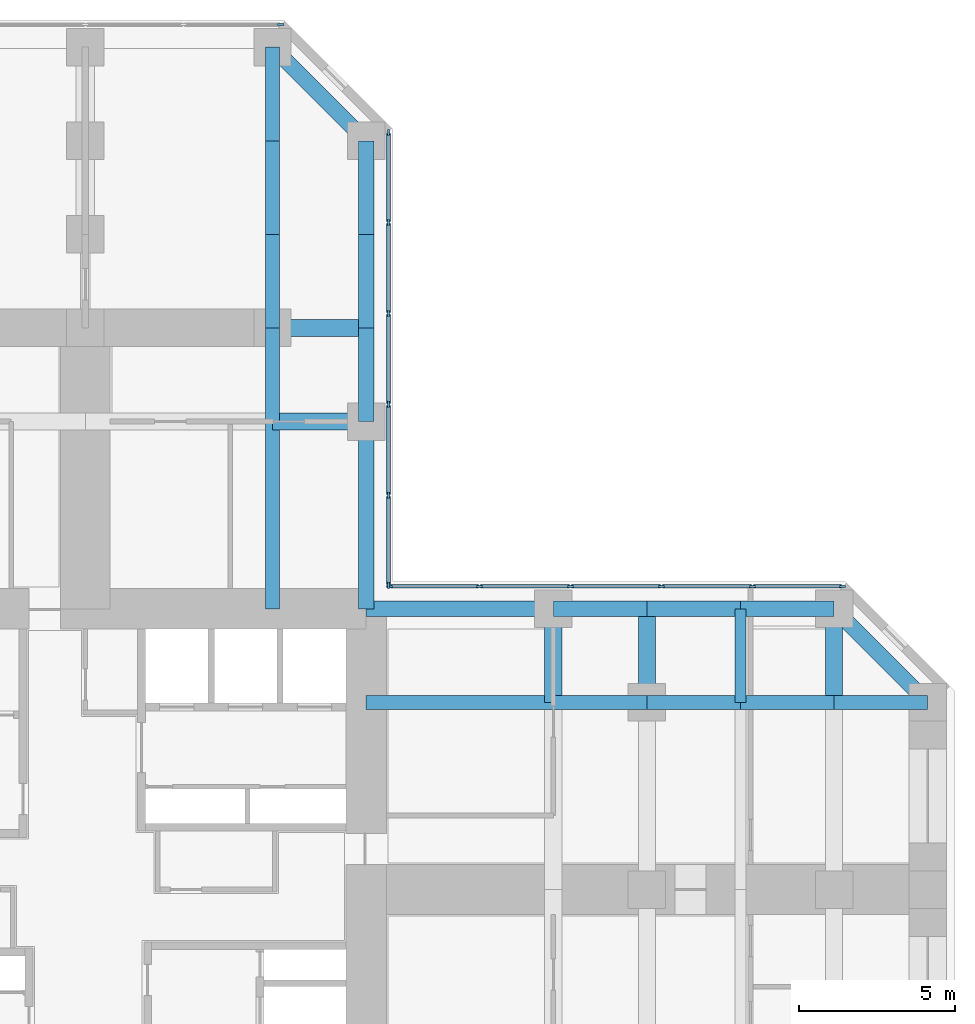
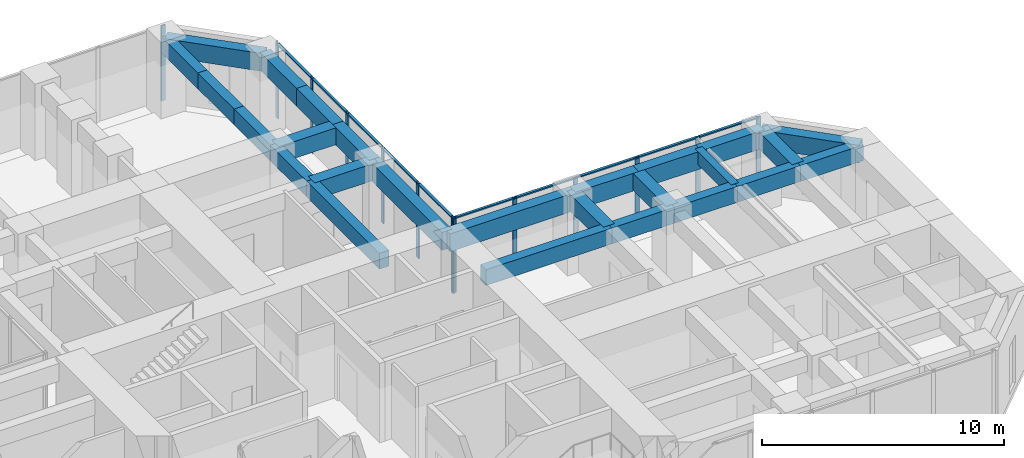
# One storey, part 6 of 13: 26 beams, 23 members, 3 elements without a shape of their own.
"""IFC4 building model written with IfcOpenShell, lengths in metres."""

from ifc_helpers import new_model, si_unit, direction, frame, origin, origin_2d, place, context, subcontext, project, spatial, rectangle, extrude, material, material_profile, profile_set, type_object, element, aggregate, save


model = new_model("IFC4")

# Units and contexts
model_context = context("Model", 3, precision=1e-05, world=origin(), true_north=direction((0.0, 1.0)))
body_context = subcontext(model_context, "Body", "Model", "MODEL_VIEW")
ifc_project = project(units=[si_unit("LENGTHUNIT", "METRE"), si_unit("AREAUNIT", "SQUARE_METRE"), si_unit("VOLUMEUNIT", "CUBIC_METRE"), si_unit("PLANEANGLEUNIT", "RADIAN"), si_unit("MASSUNIT", "GRAM", prefix="KILO")], contexts=[model_context])

# Site, building, storey
site_placement = place(None, origin())
site = spatial("IfcSite", under=ifc_project, at=site_placement, CompositionType="ELEMENT")
building_placement = place(site_placement, origin())
building = spatial("IfcBuilding", under=site, at=building_placement, Name="Torre Cruceta", CompositionType="ELEMENT")
storey_placement = place(building_placement, frame((0.0, 0.0, 31.5)))
storey = spatial("IfcBuildingStorey", under=building, at=storey_placement, Name="L07", CompositionType="ELEMENT", Elevation=31.5)

# Beams
ifc_material_1 = material(Name="Concrete G60 (fck 60 MPa)", Category="concrete")
ifc_material_profile_1 = material_profile(ifc_material_1, rectangle(XDim=0.449951171875, YDim=0.800048828125, at=origin_2d()), Name="RC 450X800")
ifc_profile_set_1 = profile_set([ifc_material_profile_1], Name="Concrete G60 (fck 60 MPa)")
beam_type_1 = type_object("IfcBeamType", Name="COLUMN LINE BEAM RC 450X800", PredefinedType="BEAM", material=ifc_profile_set_1)
beam_1_placement = place(storey_placement, frame((6.0, 9.0, 3.39990234375), z_axis=(0.0, 1.0, 0.0), x_axis=(-1.0, 0.0, 0.0)))
element("IfcBeam", 1, at=beam_1_placement, inside=storey, type_object=beam_type_1, Name="LB1 L07 N col- 1", PredefinedType="BEAM", context=body_context, shape_type="SweptSolid", body=[
    extrude(rectangle(XDim=0.449951171875, YDim=0.800048828125, at=origin_2d()), origin(), (0.0, 0.0, 1.0), 6.0),
])
for number, where, z_axis, x_axis, name in (
    (2, (6.0, 15.0, 3.39990234375), (0.0, 1.0, 0.0), (-1.0, 0.0, 0.0), "LB1 L07 N col- 2"),
    (3, (6.0, 18.0, 3.39990234375), (0.0, 1.0, 0.0), (-1.0, 0.0, 0.0), "LB1 L07 N col- 3"),
    (4, (6.0, 21.0, 3.39990234375), (0.0, 1.0, 0.0), (-1.0, 0.0, 0.0), "LB1 L07 N col- 4"),
    (5, (6.0, 24.0, 3.39990234375), (0.0, 1.0, 0.0), (-1.0, 0.0, 0.0), "LB1 L07 N col- 5"),
):
    element("IfcBeam", number, at=place(storey_placement, frame(where, z_axis=z_axis, x_axis=x_axis)), inside=storey, type_object=beam_type_1, Name=name, PredefinedType="BEAM", context=body_context, shape_type="SweptSolid", body=[
        extrude(rectangle(XDim=0.449951171875, YDim=0.800048828125, at=origin_2d()), origin(), (0.0, 0.0, 1.0), 3.0),
    ])
beam_2_placement = place(storey_placement, frame((9.0, 6.0, 3.39990234375), z_axis=(1.0, 0.0, 0.0), x_axis=(0.0, 1.0, 0.0)))
element("IfcBeam", 6, at=beam_2_placement, inside=storey, type_object=beam_type_1, Name="LB1 L07 E col+ 1", PredefinedType="BEAM", context=body_context, shape_type="SweptSolid", body=[
    extrude(rectangle(XDim=0.449951171875, YDim=0.800048828125, at=origin_2d()), origin(), (0.0, 0.0, 1.0), 6.0),
])
for number, where, z_axis, x_axis, name in (
    (7, (15.0, 6.0, 3.39990234375), (1.0, 0.0, 0.0), (0.0, 1.0, 0.0), "LB1 L07 E col+ 2"),
    (8, (18.0, 6.0, 3.39990234375), (1.0, 0.0, 0.0), (0.0, 1.0, 0.0), "LB1 L07 E col+ 3"),
    (9, (21.0, 6.0, 3.39990234375), (1.0, 0.0, 0.0), (0.0, 1.0, 0.0), "LB1 L07 E col+ 4"),
    (10, (24.0, 6.0, 3.39990234375), (1.0, 0.0, 0.0), (0.0, 1.0, 0.0), "LB1 L07 E col+ 5"),
):
    element("IfcBeam", number, at=place(storey_placement, frame(where, z_axis=z_axis, x_axis=x_axis)), inside=storey, type_object=beam_type_1, Name=name, PredefinedType="BEAM", context=body_context, shape_type="SweptSolid", body=[
        extrude(rectangle(XDim=0.449951171875, YDim=0.800048828125, at=origin_2d()), origin(), (0.0, 0.0, 1.0), 3.0),
    ])
ifc_material_2 = material(Name="Concrete G60 (fck 60 MPa)", Category="concrete")
ifc_material_profile_2 = material_profile(ifc_material_2, rectangle(XDim=0.550048828125, YDim=0.85009765625, at=origin_2d()), Name="RC 550X850")
ifc_profile_set_2 = profile_set([ifc_material_profile_2], Name="Concrete G60 (fck 60 MPa)")
beam_type_2 = type_object("IfcBeamType", Name="CROSS BEAM RC 550X850", PredefinedType="BEAM", material=ifc_profile_set_2)
for number, where, z_axis, x_axis, name in (
    (11, (9.0, 15.0, 3.375), (-1.0, 0.0, 0.0), (0.0, -1.0, 0.0), "GB4 L07 N cross15 1"),
    (12, (9.0, 18.0, 3.375), (-1.0, 0.0, 0.0), (0.0, -1.0, 0.0), "GB4 L07 N cross18 1"),
    (13, (15.0, 6.0, 3.375), (0.0, 1.0, 0.0), (-1.0, 0.0, 0.0), "GB4 L07 E cross15 4"),
    (14, (18.0, 6.0, 3.375), (0.0, 1.0, 0.0), (-1.0, 0.0, 0.0), "GB4 L07 E cross18 4"),
    (15, (24.0, 6.0, 3.375), (0.0, 1.0, 0.0), (-1.0, 0.0, 0.0), "GB4 L07 E cross24 4"),
):
    element("IfcBeam", number, at=place(storey_placement, frame(where, z_axis=z_axis, x_axis=x_axis)), inside=storey, type_object=beam_type_2, Name=name, PredefinedType="BEAM", context=body_context, shape_type="SweptSolid", body=[
        extrude(rectangle(XDim=0.550048828125, YDim=0.85009765625, at=origin_2d()), origin(), (0.0, 0.0, 1.0), 3.0),
    ])

# Curtain wall, members
ifc_material_3 = material(Name="Aluminium unitised curtain wall", Category="aluminium")
curtain_wall_type = type_object("IfcCurtainWallType", Name="CURTAIN WALL CW-A OFFICE LOW RISE", PredefinedType="USERDEFINED", material=ifc_material_3)
curtain_wall_1_placement = place(storey_placement, origin())
curtain_wall_1 = element("IfcCurtainWall", 16, at=curtain_wall_1_placement, inside=storey, type_object=curtain_wall_type, Name="CW-A L07 E side 04", ObjectType="UNITISED", PredefinedType="USERDEFINED")
ifc_material_4 = material(Name="Aluminium mullion", Category="aluminium")
ifc_material_profile_3 = material_profile(ifc_material_4, rectangle(XDim=0.06494140625, YDim=0.199951171875, at=origin_2d()), Name="AL 65X200")
ifc_profile_set_3 = profile_set([ifc_material_profile_3], Name="Aluminium mullion")
member_type_1 = type_object("IfcMemberType", Name="CW-A MULLION 65X200", PredefinedType="MULLION", material=ifc_profile_set_3)
member_1_placement = place(storey_placement, frame((24.265625, 9.719970703125, 0.0), z_axis=(0.0, 0.0, 1.0), x_axis=(0.0, -1.0, 0.0)))
member_1 = element("IfcMember", 17, at=member_1_placement, type_object=member_type_1, Name="CW-A mullion 1", PredefinedType="MULLION", context=body_context, shape_type="SweptSolid", body=[
    extrude(rectangle(XDim=0.06494140625, YDim=0.199951171875, at=origin_2d()), origin(), (0.0, 0.0, 1.0), 3.800048828125),
])
member_2_placement = place(storey_placement, frame((21.382568359375, 9.719970703125, 0.0), z_axis=(0.0, 0.0, 1.0), x_axis=(0.0, -1.0, 0.0)))
member_2 = element("IfcMember", 18, at=member_2_placement, type_object=member_type_1, Name="CW-A mullion 2", PredefinedType="MULLION", context=body_context, shape_type="SweptSolid", body=[
    extrude(rectangle(XDim=0.06494140625, YDim=0.199951171875, at=origin_2d()), origin(), (0.0, 0.0, 1.0), 3.800048828125),
])
member_3_placement = place(storey_placement, frame((18.467041015625, 9.719970703125, 0.0), z_axis=(0.0, 0.0, 1.0), x_axis=(0.0, -1.0, 0.0)))
member_3 = element("IfcMember", 19, at=member_3_placement, type_object=member_type_1, Name="CW-A mullion 3", PredefinedType="MULLION", context=body_context, shape_type="SweptSolid", body=[
    extrude(rectangle(XDim=0.06494140625, YDim=0.199951171875, at=origin_2d()), origin(), (0.0, 0.0, 1.0), 3.800048828125),
])
member_4_placement = place(storey_placement, frame((15.55126953125, 9.719970703125, 0.0), z_axis=(0.0, 0.0, 1.0), x_axis=(0.0, -1.0, 0.0)))
member_4 = element("IfcMember", 20, at=member_4_placement, type_object=member_type_1, Name="CW-A mullion 4", PredefinedType="MULLION", context=body_context, shape_type="SweptSolid", body=[
    extrude(rectangle(XDim=0.06494140625, YDim=0.199951171875, at=origin_2d()), origin(), (0.0, 0.0, 1.0), 3.800048828125),
])
member_5_placement = place(storey_placement, frame((12.6357421875, 9.719970703125, 0.0), z_axis=(0.0, 0.0, 1.0), x_axis=(0.0, -1.0, 0.0)))
member_5 = element("IfcMember", 21, at=member_5_placement, type_object=member_type_1, Name="CW-A mullion 5", PredefinedType="MULLION", context=body_context, shape_type="SweptSolid", body=[
    extrude(rectangle(XDim=0.06494140625, YDim=0.199951171875, at=origin_2d()), origin(), (0.0, 0.0, 1.0), 3.800048828125),
])
member_6_placement = place(storey_placement, frame((9.75244140625, 9.719970703125, 0.0), z_axis=(0.0, 0.0, 1.0), x_axis=(0.0, -1.0, 0.0)))
member_6 = element("IfcMember", 22, at=member_6_placement, type_object=member_type_1, Name="CW-A mullion 6", PredefinedType="MULLION", context=body_context, shape_type="SweptSolid", body=[
    extrude(rectangle(XDim=0.06494140625, YDim=0.199951171875, at=origin_2d()), origin(), (0.0, 0.0, 1.0), 3.800048828125),
])

curtain_wall_2_placement = place(storey_placement, origin())
curtain_wall_2 = element("IfcCurtainWall", 23, at=curtain_wall_2_placement, inside=storey, type_object=curtain_wall_type, Name="CW-A L07 N side 05", ObjectType="UNITISED", PredefinedType="USERDEFINED")
member_7_placement = place(storey_placement, frame((9.719970703125, 9.75244140625, 0.0), z_axis=(0.0, 0.0, 1.0), x_axis=(-1.0, 0.0, 0.0)))
member_7 = element("IfcMember", 24, at=member_7_placement, type_object=member_type_1, Name="CW-A mullion 1", PredefinedType="MULLION", context=body_context, shape_type="SweptSolid", body=[
    extrude(rectangle(XDim=0.06494140625, YDim=0.199951171875, at=origin_2d()), origin(), (0.0, 0.0, 1.0), 3.800048828125),
])
member_8_placement = place(storey_placement, frame((9.719970703125, 12.6357421875, 0.0), z_axis=(0.0, 0.0, 1.0), x_axis=(-1.0, 0.0, 0.0)))
member_8 = element("IfcMember", 25, at=member_8_placement, type_object=member_type_1, Name="CW-A mullion 2", PredefinedType="MULLION", context=body_context, shape_type="SweptSolid", body=[
    extrude(rectangle(XDim=0.06494140625, YDim=0.199951171875, at=origin_2d()), origin(), (0.0, 0.0, 1.0), 3.800048828125),
])
member_9_placement = place(storey_placement, frame((9.719970703125, 15.55126953125, 0.0), z_axis=(0.0, 0.0, 1.0), x_axis=(-1.0, 0.0, 0.0)))
member_9 = element("IfcMember", 26, at=member_9_placement, type_object=member_type_1, Name="CW-A mullion 3", PredefinedType="MULLION", context=body_context, shape_type="SweptSolid", body=[
    extrude(rectangle(XDim=0.06494140625, YDim=0.199951171875, at=origin_2d()), origin(), (0.0, 0.0, 1.0), 3.800048828125),
])
member_10_placement = place(storey_placement, frame((9.719970703125, 18.467041015625, 0.0), z_axis=(0.0, 0.0, 1.0), x_axis=(-1.0, 0.0, 0.0)))
member_10 = element("IfcMember", 27, at=member_10_placement, type_object=member_type_1, Name="CW-A mullion 4", PredefinedType="MULLION", context=body_context, shape_type="SweptSolid", body=[
    extrude(rectangle(XDim=0.06494140625, YDim=0.199951171875, at=origin_2d()), origin(), (0.0, 0.0, 1.0), 3.800048828125),
])
member_11_placement = place(storey_placement, frame((9.719970703125, 21.382568359375, 0.0), z_axis=(0.0, 0.0, 1.0), x_axis=(-1.0, 0.0, 0.0)))
member_11 = element("IfcMember", 28, at=member_11_placement, type_object=member_type_1, Name="CW-A mullion 5", PredefinedType="MULLION", context=body_context, shape_type="SweptSolid", body=[
    extrude(rectangle(XDim=0.06494140625, YDim=0.199951171875, at=origin_2d()), origin(), (0.0, 0.0, 1.0), 3.800048828125),
])
member_12_placement = place(storey_placement, frame((9.719970703125, 24.265625, 0.0), z_axis=(0.0, 0.0, 1.0), x_axis=(-1.0, 0.0, 0.0)))
member_12 = element("IfcMember", 29, at=member_12_placement, type_object=member_type_1, Name="CW-A mullion 6", PredefinedType="MULLION", context=body_context, shape_type="SweptSolid", body=[
    extrude(rectangle(XDim=0.06494140625, YDim=0.199951171875, at=origin_2d()), origin(), (0.0, 0.0, 1.0), 3.800048828125),
])

# Curtain wall, member
curtain_wall_3_placement = place(storey_placement, origin())
curtain_wall_3 = element("IfcCurtainWall", 30, at=curtain_wall_3_placement, inside=storey, type_object=curtain_wall_type, Name="CW-A L07 N tip 07", ObjectType="UNITISED", PredefinedType="USERDEFINED")
member_13_placement = place(storey_placement, frame((6.265625, 27.719970703125, 0.0), z_axis=(0.0, 0.0, 1.0), x_axis=(0.0, -1.0, 0.0)))
member_13 = element("IfcMember", 31, at=member_13_placement, type_object=member_type_1, Name="CW-A mullion 1", PredefinedType="MULLION", context=body_context, shape_type="SweptSolid", body=[
    extrude(rectangle(XDim=0.06494140625, YDim=0.199951171875, at=origin_2d()), origin(), (0.0, 0.0, 1.0), 3.800048828125),
])
aggregate(curtain_wall_3, [member_13])

# Member
ifc_material_5 = material(Name="Aluminium transom", Category="aluminium")
ifc_material_profile_4 = material_profile(ifc_material_5, rectangle(XDim=0.1201171875, YDim=0.06494140625, at=origin_2d()), Name="AL 120X65")
ifc_profile_set_4 = profile_set([ifc_material_profile_4], Name="Aluminium transom")
member_type_2 = type_object("IfcMemberType", Name="CW-A TRANSOM 65X120", PredefinedType="USERDEFINED", material=ifc_profile_set_4)
member_14_placement = place(storey_placement, frame((24.233154296875, 9.719970703125, 3.767578125), z_axis=(-1.0, 0.0, 0.0), x_axis=(0.0, -1.0, 0.0)))
member_14 = element("IfcMember", 32, at=member_14_placement, type_object=member_type_2, Name="CW-A transom 1", ObjectType="TRANSOM", PredefinedType="USERDEFINED", context=body_context, shape_type="SweptSolid", body=[
    extrude(rectangle(XDim=0.1201171875, YDim=0.06494140625, at=origin_2d()), origin(), (0.0, 0.0, 1.0), 2.818115234375),
])

member_15_placement = place(storey_placement, frame((21.35009765625, 9.719970703125, 3.767578125), z_axis=(-1.0, 0.0, 0.0), x_axis=(0.0, -1.0, 0.0)))
member_15 = element("IfcMember", 33, at=member_15_placement, type_object=member_type_2, Name="CW-A transom 2", ObjectType="TRANSOM", PredefinedType="USERDEFINED", context=body_context, shape_type="SweptSolid", body=[
    extrude(rectangle(XDim=0.1201171875, YDim=0.06494140625, at=origin_2d()), origin(), (0.0, 0.0, 1.0), 2.8505859375),
])

member_16_placement = place(storey_placement, frame((18.434326171875, 9.719970703125, 3.767578125), z_axis=(-1.0, 0.0, 0.0), x_axis=(0.0, -1.0, 0.0)))
member_16 = element("IfcMember", 34, at=member_16_placement, type_object=member_type_2, Name="CW-A transom 3", ObjectType="TRANSOM", PredefinedType="USERDEFINED", context=body_context, shape_type="SweptSolid", body=[
    extrude(rectangle(XDim=0.1201171875, YDim=0.06494140625, at=origin_2d()), origin(), (0.0, 0.0, 1.0), 2.8505859375),
])

member_17_placement = place(storey_placement, frame((15.518798828125, 9.719970703125, 3.767578125), z_axis=(-1.0, 0.0, 0.0), x_axis=(0.0, -1.0, 0.0)))
member_17 = element("IfcMember", 35, at=member_17_placement, type_object=member_type_2, Name="CW-A transom 4", ObjectType="TRANSOM", PredefinedType="USERDEFINED", context=body_context, shape_type="SweptSolid", body=[
    extrude(rectangle(XDim=0.1201171875, YDim=0.06494140625, at=origin_2d()), origin(), (0.0, 0.0, 1.0), 2.8505859375),
])

member_18_placement = place(storey_placement, frame((12.60302734375, 9.719970703125, 3.767578125), z_axis=(-1.0, 0.0, 0.0), x_axis=(0.0, -1.0, 0.0)))
member_18 = element("IfcMember", 36, at=member_18_placement, type_object=member_type_2, Name="CW-A transom 5", ObjectType="TRANSOM", PredefinedType="USERDEFINED", context=body_context, shape_type="SweptSolid", body=[
    extrude(rectangle(XDim=0.1201171875, YDim=0.06494140625, at=origin_2d()), origin(), (0.0, 0.0, 1.0), 2.818115234375),
])

aggregate(curtain_wall_1, [member_1, member_2, member_3, member_4, member_5, member_6, member_14, member_15, member_16, member_17, member_18])

member_19_placement = place(storey_placement, frame((9.719970703125, 9.784912109375, 3.767578125), z_axis=(0.0, 1.0, 0.0), x_axis=(-1.0, 0.0, 0.0)))
member_19 = element("IfcMember", 37, at=member_19_placement, type_object=member_type_2, Name="CW-A transom 1", ObjectType="TRANSOM", PredefinedType="USERDEFINED", context=body_context, shape_type="SweptSolid", body=[
    extrude(rectangle(XDim=0.1201171875, YDim=0.06494140625, at=origin_2d()), origin(), (0.0, 0.0, 1.0), 2.818115234375),
])

member_20_placement = place(storey_placement, frame((9.719970703125, 12.668212890625, 3.767578125), z_axis=(0.0, 1.0, 0.0), x_axis=(-1.0, 0.0, 0.0)))
member_20 = element("IfcMember", 38, at=member_20_placement, type_object=member_type_2, Name="CW-A transom 2", ObjectType="TRANSOM", PredefinedType="USERDEFINED", context=body_context, shape_type="SweptSolid", body=[
    extrude(rectangle(XDim=0.1201171875, YDim=0.06494140625, at=origin_2d()), origin(), (0.0, 0.0, 1.0), 2.8505859375),
])

member_21_placement = place(storey_placement, frame((9.719970703125, 15.583740234375, 3.767578125), z_axis=(0.0, 1.0, 0.0), x_axis=(-1.0, 0.0, 0.0)))
member_21 = element("IfcMember", 39, at=member_21_placement, type_object=member_type_2, Name="CW-A transom 3", ObjectType="TRANSOM", PredefinedType="USERDEFINED", context=body_context, shape_type="SweptSolid", body=[
    extrude(rectangle(XDim=0.1201171875, YDim=0.06494140625, at=origin_2d()), origin(), (0.0, 0.0, 1.0), 2.8505859375),
])

member_22_placement = place(storey_placement, frame((9.719970703125, 18.49951171875, 3.767578125), z_axis=(0.0, 1.0, 0.0), x_axis=(-1.0, 0.0, 0.0)))
member_22 = element("IfcMember", 40, at=member_22_placement, type_object=member_type_2, Name="CW-A transom 4", ObjectType="TRANSOM", PredefinedType="USERDEFINED", context=body_context, shape_type="SweptSolid", body=[
    extrude(rectangle(XDim=0.1201171875, YDim=0.06494140625, at=origin_2d()), origin(), (0.0, 0.0, 1.0), 2.8505859375),
])

member_23_placement = place(storey_placement, frame((9.719970703125, 21.4150390625, 3.767578125), z_axis=(0.0, 1.0, 0.0), x_axis=(-1.0, 0.0, 0.0)))
member_23 = element("IfcMember", 41, at=member_23_placement, type_object=member_type_2, Name="CW-A transom 5", ObjectType="TRANSOM", PredefinedType="USERDEFINED", context=body_context, shape_type="SweptSolid", body=[
    extrude(rectangle(XDim=0.1201171875, YDim=0.06494140625, at=origin_2d()), origin(), (0.0, 0.0, 1.0), 2.818115234375),
])

aggregate(curtain_wall_2, [member_7, member_8, member_9, member_10, member_11, member_12, member_19, member_20, member_21, member_22, member_23])

# Beams
ifc_material_6 = material(Name="Concrete G60 (fck 60 MPa)", Category="concrete")
ifc_material_profile_5 = material_profile(ifc_material_6, rectangle(XDim=0.35009765625, YDim=0.64990234375, at=origin_2d()), Name="RC 350X650")
ifc_profile_set_5 = profile_set([ifc_material_profile_5], Name="Concrete G60 (fck 60 MPa)")
beam_type_3 = type_object("IfcBeamType", Name="SECONDARY BEAM RC 350X650", PredefinedType="JOIST", material=ifc_profile_set_5)
beam_3_placement = place(storey_placement, frame((21.0, 6.0, 3.47509765625), z_axis=(0.0, 1.0, 0.0), x_axis=(-1.0, 0.0, 0.0)))
element("IfcBeam", 42, at=beam_3_placement, inside=storey, type_object=beam_type_3, Name="JB3 L07 E sec21 4", PredefinedType="JOIST", context=body_context, shape_type="SweptSolid", body=[
    extrude(rectangle(XDim=0.35009765625, YDim=0.64990234375, at=origin_2d()), origin(), (0.0, 0.0, 1.0), 3.0),
])
ifc_material_7 = material(Name="Concrete G60 (fck 60 MPa)", Category="concrete")
ifc_material_profile_6 = material_profile(ifc_material_7, rectangle(XDim=0.5, YDim=0.89990234375, at=origin_2d()), Name="RC 500X900")
ifc_profile_set_6 = profile_set([ifc_material_profile_6], Name="Concrete G60 (fck 60 MPa)")
beam_type_4 = type_object("IfcBeamType", Name="SPANDREL BEAM RC 500X900", PredefinedType="SPANDREL", material=ifc_profile_set_6)
beam_4_placement = place(storey_placement, frame((9.0, 9.0, 3.35009765625), z_axis=(0.0, 1.0, 0.0), x_axis=(-1.0, 0.0, 0.0)))
element("IfcBeam", 43, at=beam_4_placement, inside=storey, type_object=beam_type_4, Name="SB4 L07 N side- 1", PredefinedType="SPANDREL", context=body_context, shape_type="SweptSolid", body=[
    extrude(rectangle(XDim=0.5, YDim=0.89990234375, at=origin_2d()), origin(), (0.0, 0.0, 1.0), 6.0),
])
for number, where, z_axis, x_axis, name in (
    (44, (9.0, 15.0, 3.35009765625), (0.0, 1.0, 0.0), (-1.0, 0.0, 0.0), "SB4 L07 N side- 2"),
    (45, (9.0, 18.0, 3.35009765625), (0.0, 1.0, 0.0), (-1.0, 0.0, 0.0), "SB4 L07 N side- 3"),
    (46, (9.0, 21.0, 3.35009765625), (0.0, 1.0, 0.0), (-1.0, 0.0, 0.0), "SB4 L07 N side- 4"),
):
    element("IfcBeam", number, at=place(storey_placement, frame(where, z_axis=z_axis, x_axis=x_axis)), inside=storey, type_object=beam_type_4, Name=name, PredefinedType="SPANDREL", context=body_context, shape_type="SweptSolid", body=[
        extrude(rectangle(XDim=0.5, YDim=0.89990234375, at=origin_2d()), origin(), (0.0, 0.0, 1.0), 3.0),
    ])
beam_5_placement = place(storey_placement, frame((9.0, 24.0, 3.35009765625), z_axis=(-0.707106781187, 0.707106781187, 0.0), x_axis=(-0.707106781187, -0.707106781187, 0.0)))
element("IfcBeam", 47, at=beam_5_placement, inside=storey, type_object=beam_type_4, Name="SB4 L07 N side- 5", PredefinedType="SPANDREL", context=body_context, shape_type="SweptSolid", body=[
    extrude(rectangle(XDim=0.5, YDim=0.89990234375, at=origin_2d()), origin(), (0.0, 0.0, 1.0), 4.24267578125),
])
beam_6_placement = place(storey_placement, frame((9.0, 9.0, 3.35009765625), z_axis=(1.0, 0.0, 0.0), x_axis=(0.0, 1.0, 0.0)))
element("IfcBeam", 48, at=beam_6_placement, inside=storey, type_object=beam_type_4, Name="SB4 L07 E side+ 1", PredefinedType="SPANDREL", context=body_context, shape_type="SweptSolid", body=[
    extrude(rectangle(XDim=0.5, YDim=0.89990234375, at=origin_2d()), origin(), (0.0, 0.0, 1.0), 6.0),
])
for number, where, z_axis, x_axis, name in (
    (49, (15.0, 9.0, 3.35009765625), (1.0, 0.0, 0.0), (0.0, 1.0, 0.0), "SB4 L07 E side+ 2"),
    (50, (18.0, 9.0, 3.35009765625), (1.0, 0.0, 0.0), (0.0, 1.0, 0.0), "SB4 L07 E side+ 3"),
    (51, (21.0, 9.0, 3.35009765625), (1.0, 0.0, 0.0), (0.0, 1.0, 0.0), "SB4 L07 E side+ 4"),
):
    element("IfcBeam", number, at=place(storey_placement, frame(where, z_axis=z_axis, x_axis=x_axis)), inside=storey, type_object=beam_type_4, Name=name, PredefinedType="SPANDREL", context=body_context, shape_type="SweptSolid", body=[
        extrude(rectangle(XDim=0.5, YDim=0.89990234375, at=origin_2d()), origin(), (0.0, 0.0, 1.0), 3.0),
    ])
beam_7_placement = place(storey_placement, frame((24.0, 9.0, 3.35009765625), z_axis=(0.707106781187, -0.707106781187, 0.0), x_axis=(0.707106781187, 0.707106781187, 0.0)))
element("IfcBeam", 52, at=beam_7_placement, inside=storey, type_object=beam_type_4, Name="SB4 L07 E side+ 5", PredefinedType="SPANDREL", context=body_context, shape_type="SweptSolid", body=[
    extrude(rectangle(XDim=0.5, YDim=0.89990234375, at=origin_2d()), origin(), (0.0, 0.0, 1.0), 4.24267578125),
])

save(model, "model.ifc")
